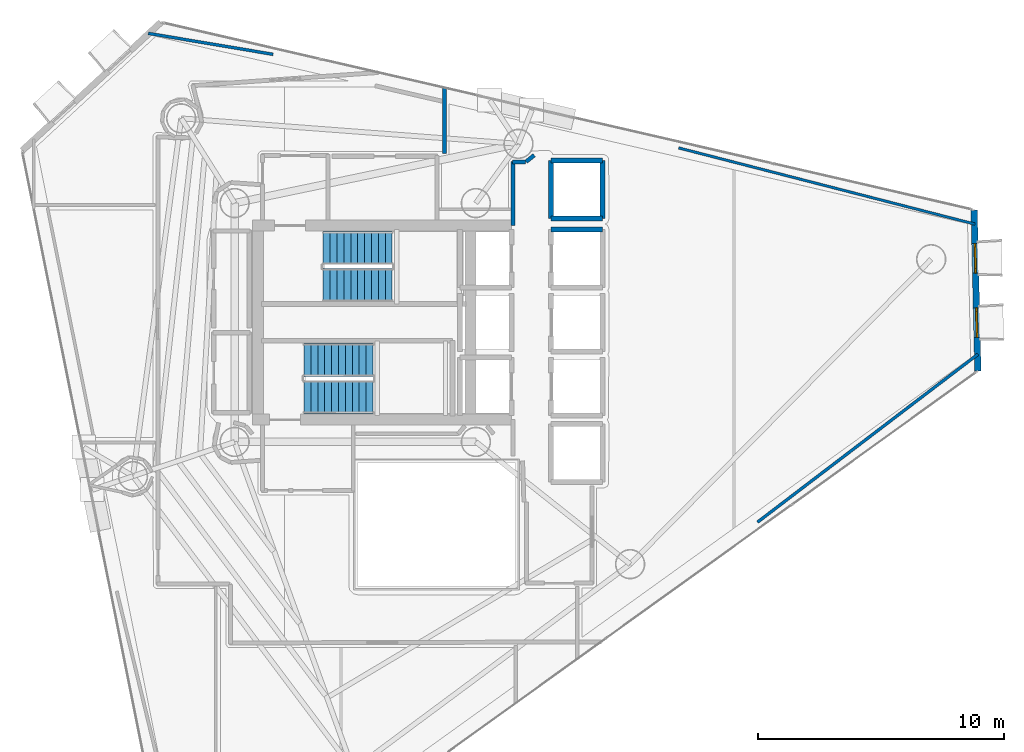
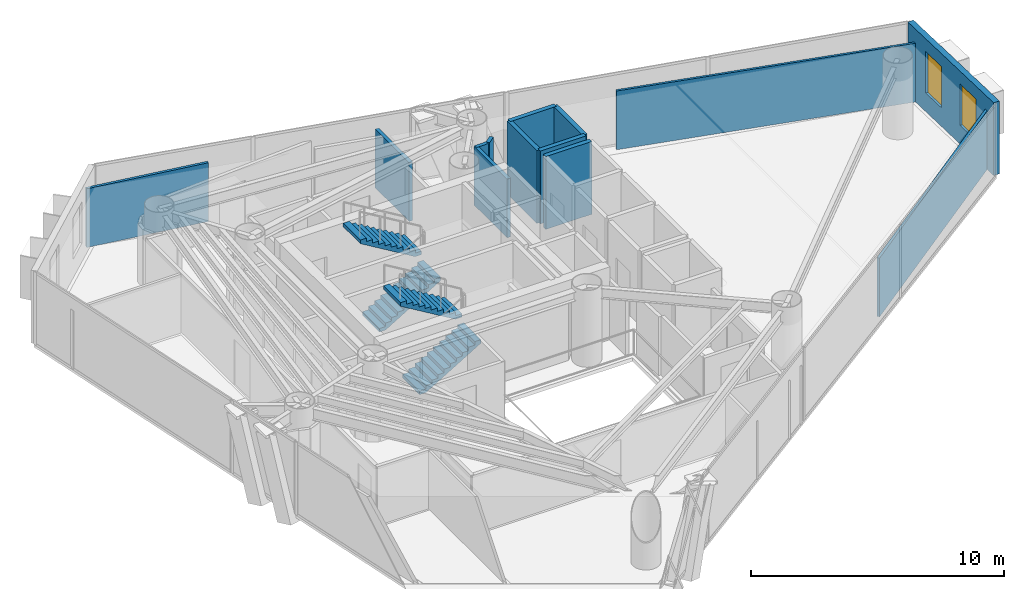
# One storey, part 19 of 22: 13 walls, 4 stair flights, 2 windows, 2 openings, 2 elements without a shape of their own.
"""IFC4 building model written with IfcOpenShell, lengths in metres."""

from ifc_helpers import new_model, si_unit, direction, frame, frame_2d, origin, place, context, subcontext, project, spatial, polyline, rectangle, outline, extrude, material, layer, layer_set, type_object, element, fill, aggregate, save


model = new_model("IFC4")

# Units and contexts
model_context = context("Model", 3, precision=1e-05, world=origin(), true_north=direction((0.0, 1.0)))
body_context = subcontext(model_context, "Body", "Model", "MODEL_VIEW")
ifc_project = project(units=[si_unit("LENGTHUNIT", "METRE"), si_unit("AREAUNIT", "SQUARE_METRE"), si_unit("VOLUMEUNIT", "CUBIC_METRE"), si_unit("PLANEANGLEUNIT", "RADIAN"), si_unit("MASSUNIT", "GRAM", prefix="KILO")], contexts=[model_context])

# Site, building, storey
site_placement = place(None, origin())
site = spatial("IfcSite", under=ifc_project, at=site_placement, CompositionType="ELEMENT")
building_placement = place(site_placement, origin())
building = spatial("IfcBuilding", under=site, at=building_placement, Name="Qianvela Tower", CompositionType="ELEMENT")
storey_placement = place(building_placement, frame((0.0, 0.0, 196.60009765625)))
storey = spatial("IfcBuildingStorey", under=building, at=storey_placement, Name="L50", CompositionType="ELEMENT", Elevation=196.60009765625)

# Wall, openings, windows
ifc_material_1 = material(Name="Terracotta Cladding on Concrete C40", Category="masonry")
ifc_layer_1 = layer(ifc_material_1, 0.260009765625)
ifc_layer_set_1 = layer_set([ifc_layer_1], Name="Terracotta Cladding on Concrete C40")
wall_type_1 = type_object("IfcWallType", Name="TERRACOTTA-WALL-260", PredefinedType="SOLIDWALL", material=ifc_layer_set_1)
wall_1_placement = place(storey_placement, frame((58.79345703125, 26.730224609375, 0.0), z_axis=(0.0, 0.0, 1.0), x_axis=(-0.023327605805, 0.999727874378, 0.0)))
wall_1 = element("IfcWall", 1, at=wall_1_placement, inside=storey, type_object=wall_type_1, Name="L50 Terracotta Chamfer Facet Wall 1", PredefinedType="SOLIDWALL", context=body_context, shape_type="SweptSolid", body=[
    extrude(rectangle(XDim=6.541015625, YDim=0.260009765625, at=frame_2d((3.2705078125, 0.0))), origin(), (0.0, 0.0, 1.0), 3.52001953125),
])
opening_1_placement = place(wall_1_placement, frame((1.3623046875, 0.0, 0.89990234375)))
opening_1 = element("IfcOpeningElement", 2, at=opening_1_placement, cuts=wall_1, Name="Opening W-03", PredefinedType="OPENING", context=body_context, shape_type="SweptSolid", body=[
    extrude(rectangle(XDim=1.199951171875, YDim=2.0, at=frame_2d((0.60009765625, 1.0))), frame((0.0, 0.139892578125, 0.0), z_axis=(0.0, -1.0, 0.0), x_axis=(1.0, 0.0, 0.0)), (0.0, 0.0, 1.0), 0.280029296875),
])
opening_2_placement = place(wall_1_placement, frame((3.978759765625, 0.0, 0.89990234375)))
opening_2 = element("IfcOpeningElement", 3, at=opening_2_placement, cuts=wall_1, Name="Opening W-03", PredefinedType="OPENING", context=body_context, shape_type="SweptSolid", body=[
    extrude(rectangle(XDim=1.199951171875, YDim=2.0, at=frame_2d((0.60009765625, 1.0))), frame((0.0, 0.139892578125, 0.0), z_axis=(0.0, -1.0, 0.0), x_axis=(1.0, 0.0, 0.0)), (0.0, 0.0, 1.0), 0.280029296875),
])
ifc_material_2 = material(Name="Thermally Broken Aluminium and Low-E Glass", Category="aluminium")
window_type = type_object("IfcWindowType", Name="WIN-TC-1200x2000", PartitioningType="SINGLE_PANEL", PredefinedType="WINDOW", material=ifc_material_2)
window_1_placement = place(opening_1_placement, origin())
window_1 = element("IfcWindow", 4, at=window_1_placement, inside=storey, type_object=window_type, Name="L50 Chamfer Facet Window 1.1", OverallHeight=2.0, OverallWidth=1.199951171875, PartitioningType="SINGLE_PANEL", PredefinedType="WINDOW", context=body_context, shape_type="SweptSolid", body=[
    extrude(rectangle(XDim=1.199951171875, YDim=2.0, at=frame_2d((0.60009765625, 1.0))), frame((0.0, 0.030029296875, 0.0), z_axis=(0.0, -1.0, 0.0), x_axis=(1.0, 0.0, 0.0)), (0.0, 0.0, 1.0), 0.06005859375),
])
fill(opening_1, window_1)
window_2_placement = place(opening_2_placement, origin())
window_2 = element("IfcWindow", 5, at=window_2_placement, inside=storey, type_object=window_type, Name="L50 Chamfer Facet Window 1.2", OverallHeight=2.0, OverallWidth=1.199951171875, PartitioningType="SINGLE_PANEL", PredefinedType="WINDOW", context=body_context, shape_type="SweptSolid", body=[
    extrude(rectangle(XDim=1.199951171875, YDim=2.0, at=frame_2d((0.60009765625, 1.0))), frame((0.0, 0.030029296875, 0.0), z_axis=(0.0, -1.0, 0.0), x_axis=(1.0, 0.0, 0.0)), (0.0, 0.0, 1.0), 0.06005859375),
])
fill(opening_2, window_2)

# Walls
ifc_material_3 = material(Name="Fire-Rated Gypsum and Concrete Block", Category="concrete")
ifc_layer_2 = layer(ifc_material_3, 0.159912109375)
ifc_layer_set_2 = layer_set([ifc_layer_2], Name="Fire-Rated Gypsum and Concrete Block")
wall_type_2 = type_object("IfcWallType", Name="WT-CORR-160", PredefinedType="PARTITIONING", material=ifc_layer_set_2)
wall_2_placement = place(storey_placement, frame((39.910888671875, 32.639892578125, 0.0), z_axis=(0.0, 0.0, 1.0), x_axis=(0.0, 1.0, 0.0)))
element("IfcWall", 6, at=wall_2_placement, inside=storey, type_object=wall_type_2, Name="L50 Partition 12", PredefinedType="PARTITIONING", context=body_context, shape_type="SweptSolid", body=[
    extrude(rectangle(XDim=2.60400390625, YDim=0.159912109375, at=frame_2d((1.302001953125, 0.0))), origin(), (0.0, 0.0, 1.0), 2.83984375),
])
wall_3_placement = place(storey_placement, frame((39.880615234375, 35.212890625, 0.0), z_axis=(0.0, 0.0, 1.0), x_axis=(0.999756500784, 0.02206669754, 0.0)))
element("IfcWall", 7, at=wall_3_placement, inside=storey, type_object=wall_type_2, Name="L50 Partition 13", PredefinedType="PARTITIONING", context=body_context, shape_type="SweptSolid", body=[
    extrude(rectangle(XDim=0.542236328125, YDim=0.159912109375, at=frame_2d((0.27099609375, 0.0))), origin(), (0.0, 0.0, 1.0), 2.83984375),
])
wall_4_placement = place(storey_placement, frame((40.44140625, 35.231689453125, 0.0), z_axis=(0.0, 0.0, 1.0), x_axis=(0.778714564707, 0.627378376033, 0.0)))
element("IfcWall", 8, at=wall_4_placement, inside=storey, type_object=wall_type_2, Name="L50 Partition 14", PredefinedType="PARTITIONING", context=body_context, shape_type="SweptSolid", body=[
    extrude(rectangle(XDim=0.421142578125, YDim=0.159912109375, at=frame_2d((0.21044921875, 0.0))), origin(), (0.0, 0.0, 1.0), 2.83984375),
])
wall_5_placement = place(storey_placement, frame((37.118896484375, 38.25537109375, 0.0), z_axis=(0.0, 0.0, 1.0), x_axis=(0.0, -1.0, 0.0)))
element("IfcWall", 9, at=wall_5_placement, inside=storey, type_object=wall_type_2, Name="L50 Partition 53", PredefinedType="PARTITIONING", context=body_context, shape_type="SweptSolid", body=[
    extrude(rectangle(XDim=2.6953125, YDim=0.159912109375, at=frame_2d((1.34765625, 0.0))), origin(), (0.0, 0.0, 1.0), 2.83984375),
])
ifc_material_4 = material(Name="Lightweight Gypsum Room Partition")
ifc_layer_3 = layer(ifc_material_4, 0.10498046875)
ifc_layer_set_3 = layer_set([ifc_layer_3], Name="Lightweight Gypsum Room Partition")
wall_type_3 = type_object("IfcWallType", Name="WT-PART-105", PredefinedType="PARTITIONING", material=ifc_layer_set_3)
wall_6_placement = place(storey_placement, frame((46.6376953125, 35.792724609375, 0.0), z_axis=(0.0, 0.0, 1.0), x_axis=(0.968468695422, -0.249135276483, 0.0)))
element("IfcWall", 10, at=wall_6_placement, inside=storey, type_object=wall_type_3, Name="L50 Partition 107 seg 2", PredefinedType="PARTITIONING", context=body_context, shape_type="SweptSolid", body=[
    extrude(rectangle(XDim=12.427734375, YDim=0.10498046875, at=frame_2d((6.2138671875, 0.0))), origin(), (0.0, 0.0, 1.0), 2.83984375),
])
ifc_material_5 = material(Name="Insulated Gypsum Stud Partition")
ifc_layer_4 = layer(ifc_material_5, 0.1201171875)
ifc_layer_set_4 = layer_set([ifc_layer_4], Name="Insulated Gypsum Stud Partition")
wall_type_4 = type_object("IfcWallType", Name="WT-PART-120", PredefinedType="PARTITIONING", material=ifc_layer_set_4)
wall_7_placement = place(storey_placement, frame((58.794189453125, 27.409423828125, 0.0), z_axis=(0.0, 0.0, 1.0), x_axis=(-0.795505416469, -0.605946476488, 0.0)))
element("IfcWall", 11, at=wall_7_placement, inside=storey, type_object=wall_type_4, Name="L50 Partition 109 seg 1", PredefinedType="PARTITIONING", context=body_context, shape_type="SweptSolid", body=[
    extrude(rectangle(XDim=11.25390625, YDim=0.1201171875, at=frame_2d((5.626953125, 0.0))), origin(), (0.0, 0.0, 1.0), 2.83984375),
])
wall_8_placement = place(storey_placement, frame((25.092041015625, 40.445068359375, 0.0), z_axis=(0.0, 0.0, 1.0), x_axis=(0.986208576086, -0.165507233844, 0.0)))
element("IfcWall", 12, at=wall_8_placement, inside=storey, type_object=wall_type_4, Name="L50 Partition 121 seg 1", PredefinedType="PARTITIONING", context=body_context, shape_type="SweptSolid", body=[
    extrude(rectangle(XDim=5.143798828125, YDim=0.1201171875, at=frame_2d((2.57177734375, 0.0))), origin(), (0.0, 0.0, 1.0), 2.83984375),
])
ifc_material_6 = material(Name="Concrete C50", Category="concrete")
ifc_layer_5 = layer(ifc_material_6, 0.199951171875)
ifc_layer_set_5 = layer_set([ifc_layer_5], Name="Concrete C50")
wall_type_5 = type_object("IfcWallType", Name="WT-SHAFT-200", PredefinedType="SOLIDWALL", material=ifc_layer_set_5)
wall_9_placement = place(storey_placement, frame((41.449951171875, 32.47998046875, 0.0), z_axis=(0.0, 0.0, 1.0), x_axis=(1.0, 0.0, 0.0)))
element("IfcWall", 13, at=wall_9_placement, inside=storey, type_object=wall_type_5, Name="L50 Lift PL-M1 N Shaft Wall", PredefinedType="SOLIDWALL", context=body_context, shape_type="SweptSolid", body=[
    extrude(rectangle(XDim=2.10009765625, YDim=0.199951171875, at=frame_2d((1.050048828125, 0.0))), origin(), (0.0, 0.0, 1.0), 3.52001953125),
])
for number, where, z_axis, x_axis, name in (
    (14, (43.550048828125, 32.919921875, 0.0), (0.0, 0.0, 1.0), (0.0, 1.0, 0.0), "L50 Lift PL-H3 E Shaft Wall"),
    (15, (41.449951171875, 32.919921875, 0.0), (0.0, 0.0, 1.0), (0.0, 1.0, 0.0), "L50 Lift PL-H3 W Shaft Wall"),
):
    element("IfcWall", number, at=place(storey_placement, frame(where, z_axis=z_axis, x_axis=x_axis)), inside=storey, type_object=wall_type_5, Name=name, PredefinedType="SOLIDWALL", context=body_context, shape_type="SweptSolid", body=[
        extrude(rectangle(XDim=2.360107421875, YDim=0.199951171875, at=frame_2d((1.18017578125, 0.0))), origin(), (0.0, 0.0, 1.0), 3.52001953125),
    ])
for number, where, z_axis, x_axis, name in (
    (16, (41.449951171875, 35.280029296875, 0.0), (0.0, 0.0, 1.0), (1.0, 0.0, 0.0), "L50 Lift PL-H3 N Shaft Wall"),
    (17, (41.449951171875, 32.919921875, 0.0), (0.0, 0.0, 1.0), (1.0, 0.0, 0.0), "L50 Lift PL-H3 S Shaft Wall"),
):
    element("IfcWall", number, at=place(storey_placement, frame(where, z_axis=z_axis, x_axis=x_axis)), inside=storey, type_object=wall_type_5, Name=name, PredefinedType="SOLIDWALL", context=body_context, shape_type="SweptSolid", body=[
        extrude(rectangle(XDim=2.10009765625, YDim=0.199951171875, at=frame_2d((1.050048828125, 0.0))), origin(), (0.0, 0.0, 1.0), 3.52001953125),
    ])

# Stair, stair flights
ifc_material_7 = material(Name="Concrete C40", Category="concrete")
stair_type = type_object("IfcStairType", Name="ST-DOGLEG-1350-R168-N22", PredefinedType="HALF_TURN_STAIR", material=ifc_material_7)
stair_1_placement = place(storey_placement, origin())
stair_1 = element("IfcStair", 18, at=stair_1_placement, inside=storey, type_object=stair_type, Name="L50 Smoke-Proof Core Stair ST-1", PredefinedType="HALF_TURN_STAIR")
ifc_material_8 = material(Name="Concrete C40", Category="concrete")
stair_flight_type = type_object("IfcStairFlightType", Name="STF-STRAIGHT-R168-P11", PredefinedType="STRAIGHT", material=ifc_material_8)
stair_flight_1_placement = place(storey_placement, frame((32.199951171875, 30.215087890625, 0.0), z_axis=(0.0, 0.0, 1.0), x_axis=(1.0, 0.0, 0.0)))
stair_flight_1 = element("IfcStairFlight", 19, at=stair_flight_1_placement, type_object=stair_flight_type, Name="ST-1 flight 1", NumberOfRisers=11, NumberOfTreads=10, PredefinedType="STRAIGHT", RiserHeight=0.168181818, TreadLength=0.28, context=body_context, shape_type="SweptSolid", body=[
    extrude(outline(polyline([(0.0, 0.0), (0.0, 0.168212890625), (0.280029296875, 0.168212890625), (0.280029296875, 0.33642578125), (0.56005859375, 0.33642578125), (0.56005859375, 0.504638671875), (0.840087890625, 0.504638671875), (0.840087890625, 0.672607421875), (1.1201171875, 0.672607421875), (1.1201171875, 0.8408203125), (1.39990234375, 0.8408203125), (1.39990234375, 1.009033203125), (1.679931640625, 1.009033203125), (1.679931640625, 1.17724609375), (1.9599609375, 1.17724609375), (1.9599609375, 1.345458984375), (2.239990234375, 1.345458984375), (2.239990234375, 1.513671875), (2.52001953125, 1.513671875), (2.52001953125, 1.681884765625), (2.800048828125, 1.681884765625), (2.800048828125, 1.85009765625), (2.800048828125, 1.5068359375), (0.291015625, 0.0), (0.0, 0.0)])), frame((0.0, 0.675048828125, 0.0), z_axis=(0.0, -1.0, 0.0), x_axis=(1.0, 0.0, 0.0)), (0.0, 0.0, 1.0), 1.35009765625),
])
stair_flight_2_placement = place(storey_placement, frame((35.0, 31.72509765625, 1.849853515625), z_axis=(0.0, 0.0, 1.0), x_axis=(-1.0, 0.0, 0.0)))
stair_flight_2 = element("IfcStairFlight", 20, at=stair_flight_2_placement, type_object=stair_flight_type, Name="ST-1 flight 2", NumberOfRisers=11, NumberOfTreads=10, PredefinedType="STRAIGHT", RiserHeight=0.168181818, TreadLength=0.28, context=body_context, shape_type="SweptSolid", body=[
    extrude(outline(polyline([(0.0, 0.0), (0.0, 0.168212890625), (0.280029296875, 0.168212890625), (0.280029296875, 0.33642578125), (0.56005859375, 0.33642578125), (0.56005859375, 0.504638671875), (0.840087890625, 0.504638671875), (0.840087890625, 0.672607421875), (1.1201171875, 0.672607421875), (1.1201171875, 0.8408203125), (1.39990234375, 0.8408203125), (1.39990234375, 1.009033203125), (1.679931640625, 1.009033203125), (1.679931640625, 1.17724609375), (1.9599609375, 1.17724609375), (1.9599609375, 1.345458984375), (2.239990234375, 1.345458984375), (2.239990234375, 1.513671875), (2.52001953125, 1.513671875), (2.52001953125, 1.681884765625), (2.800048828125, 1.681884765625), (2.800048828125, 1.85009765625), (2.800048828125, 1.5068359375), (0.291015625, 0.0), (0.0, 0.0)])), frame((0.0, 0.675048828125, 0.0), z_axis=(0.0, -1.0, 0.0), x_axis=(1.0, 0.0, 0.0)), (0.0, 0.0, 1.0), 1.35009765625),
])
aggregate(stair_1, [stair_flight_1, stair_flight_2])

stair_2_placement = place(storey_placement, origin())
stair_2 = element("IfcStair", 21, at=stair_2_placement, inside=storey, type_object=stair_type, Name="L50 Smoke-Proof Core Stair ST-2", PredefinedType="HALF_TURN_STAIR")
stair_flight_3_placement = place(storey_placement, frame((31.419921875, 25.675048828125, 0.0), z_axis=(0.0, 0.0, 1.0), x_axis=(1.0, 0.0, 0.0)))
stair_flight_3 = element("IfcStairFlight", 22, at=stair_flight_3_placement, type_object=stair_flight_type, Name="ST-2 flight 1", NumberOfRisers=11, NumberOfTreads=10, PredefinedType="STRAIGHT", RiserHeight=0.168181818, TreadLength=0.28, context=body_context, shape_type="SweptSolid", body=[
    extrude(outline(polyline([(0.0, 0.0), (0.0, 0.168212890625), (0.280029296875, 0.168212890625), (0.280029296875, 0.33642578125), (0.56005859375, 0.33642578125), (0.56005859375, 0.504638671875), (0.840087890625, 0.504638671875), (0.840087890625, 0.672607421875), (1.1201171875, 0.672607421875), (1.1201171875, 0.8408203125), (1.39990234375, 0.8408203125), (1.39990234375, 1.009033203125), (1.679931640625, 1.009033203125), (1.679931640625, 1.17724609375), (1.9599609375, 1.17724609375), (1.9599609375, 1.345458984375), (2.239990234375, 1.345458984375), (2.239990234375, 1.513671875), (2.52001953125, 1.513671875), (2.52001953125, 1.681884765625), (2.800048828125, 1.681884765625), (2.800048828125, 1.85009765625), (2.800048828125, 1.5068359375), (0.291015625, 0.0), (0.0, 0.0)])), frame((0.0, 0.675048828125, 0.0), z_axis=(0.0, -1.0, 0.0), x_axis=(1.0, 0.0, 0.0)), (0.0, 0.0, 1.0), 1.35009765625),
])
stair_flight_4_placement = place(storey_placement, frame((34.219970703125, 27.18505859375, 1.849853515625), z_axis=(0.0, 0.0, 1.0), x_axis=(-1.0, 0.0, 0.0)))
stair_flight_4 = element("IfcStairFlight", 23, at=stair_flight_4_placement, type_object=stair_flight_type, Name="ST-2 flight 2", NumberOfRisers=11, NumberOfTreads=10, PredefinedType="STRAIGHT", RiserHeight=0.168181818, TreadLength=0.28, context=body_context, shape_type="SweptSolid", body=[
    extrude(outline(polyline([(0.0, 0.0), (0.0, 0.168212890625), (0.280029296875, 0.168212890625), (0.280029296875, 0.33642578125), (0.56005859375, 0.33642578125), (0.56005859375, 0.504638671875), (0.840087890625, 0.504638671875), (0.840087890625, 0.672607421875), (1.1201171875, 0.672607421875), (1.1201171875, 0.8408203125), (1.39990234375, 0.8408203125), (1.39990234375, 1.009033203125), (1.679931640625, 1.009033203125), (1.679931640625, 1.17724609375), (1.9599609375, 1.17724609375), (1.9599609375, 1.345458984375), (2.239990234375, 1.345458984375), (2.239990234375, 1.513671875), (2.52001953125, 1.513671875), (2.52001953125, 1.681884765625), (2.800048828125, 1.681884765625), (2.800048828125, 1.85009765625), (2.800048828125, 1.5068359375), (0.291015625, 0.0), (0.0, 0.0)])), frame((0.0, 0.675048828125, 0.0), z_axis=(0.0, -1.0, 0.0), x_axis=(1.0, 0.0, 0.0)), (0.0, 0.0, 1.0), 1.35009765625),
])
aggregate(stair_2, [stair_flight_3, stair_flight_4])

save(model, "model.ifc")
